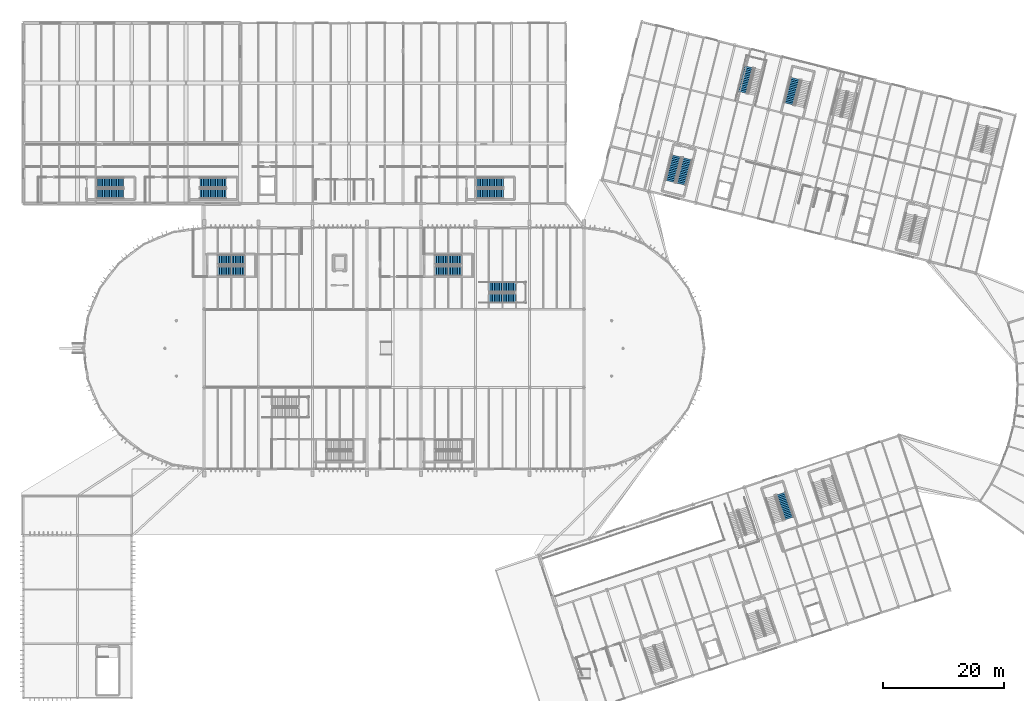
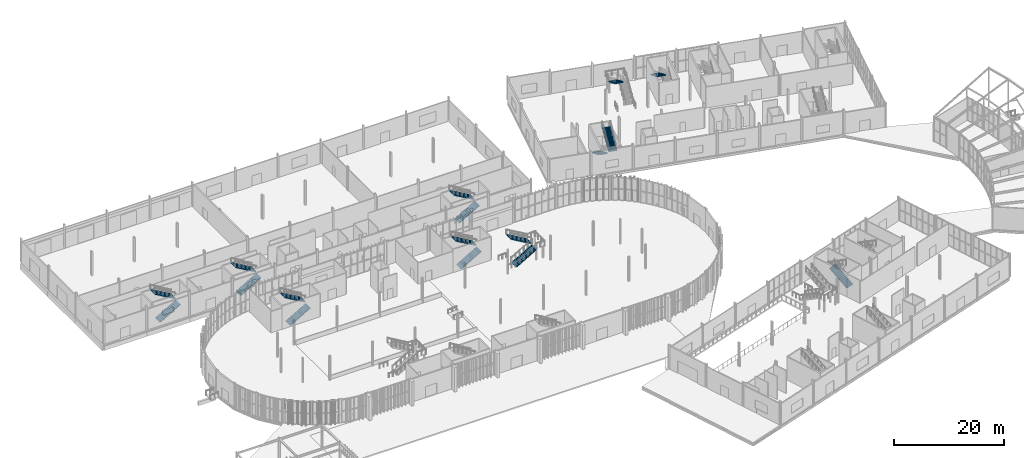
# One storey, part 131 of 158: 17 stair flights, 10 elements without a shape of their own.
"""IFC4 building model written with IfcOpenShell, lengths in metres."""

from ifc_helpers import new_model, si_unit, derived_unit, direction, frame, origin, place, context, subcontext, project, spatial, polyline, outline, extrude, material, type_object, element, aggregate, save


model = new_model("IFC4")

# Units and contexts
model_context = context("Model", 3, precision=1e-05, world=origin(), true_north=direction((0.0, 1.0)))
body_context = subcontext(model_context, "Body", "Model", "MODEL_VIEW")
ifc_project = project(units=[si_unit("LENGTHUNIT", "METRE"), si_unit("AREAUNIT", "SQUARE_METRE"), si_unit("VOLUMEUNIT", "CUBIC_METRE"), si_unit("PLANEANGLEUNIT", "RADIAN"), si_unit("MASSUNIT", "GRAM", prefix="KILO"), si_unit("THERMODYNAMICTEMPERATUREUNIT", "KELVIN"), si_unit("TIMEUNIT", "SECOND"), derived_unit("THERMALTRANSMITTANCEUNIT", [(si_unit("MASSUNIT", "GRAM", prefix="KILO"), 1), (si_unit("THERMODYNAMICTEMPERATUREUNIT", "KELVIN"), -1), (si_unit("TIMEUNIT", "SECOND"), -3)])], contexts=[model_context])

# Site, building, storey
site_placement = place(None, origin())
site = spatial("IfcSite", under=ifc_project, at=site_placement, CompositionType="ELEMENT")
building_placement = place(site_placement, origin())
building = spatial("IfcBuilding", under=site, at=building_placement, Name="Cambertide Market Hall", CompositionType="ELEMENT")
storey_placement = place(building_placement, origin())
storey = spatial("IfcBuildingStorey", under=building, at=storey_placement, Name="L01", CompositionType="ELEMENT", Elevation=0.0)

# Stair, stair flights
ifc_material_1 = material(Name="Concrete B35", Category="concrete")
stair_type_1 = type_object("IfcStairType", Name="Concrete Dogleg Stair ST-01", PredefinedType="HALF_TURN_STAIR", material=ifc_material_1)
stair_1_placement = place(storey_placement, origin())
stair_1 = element("IfcStair", 1, at=stair_1_placement, inside=storey, type_object=stair_type_1, Name="Level 1 Exit Stair Core 01", PredefinedType="HALF_TURN_STAIR")
ifc_material_2 = material(Name="Concrete B35", Category="concrete")
stair_flight_type_1 = type_object("IfcStairFlightType", Name="Concrete Stair Flight ST-01", PredefinedType="STRAIGHT", material=ifc_material_2)
stair_flight_1_placement = place(storey_placement, frame((44.300048828125, 84.824951171875, 0.0), z_axis=(0.0, 0.0, 1.0), x_axis=(1.0, 0.0, 0.0)))
stair_flight_1 = element("IfcStairFlight", 2, at=stair_flight_1_placement, type_object=stair_flight_type_1, Name="ST-01 flight 1", NumberOfRisers=16, NumberOfTreads=15, PredefinedType="STRAIGHT", RiserHeight=0.16875, TreadLength=0.29, context=body_context, shape_type="SweptSolid", body=[
    extrude(outline(polyline([(0.0, 0.0), (0.0, 0.168701171875), (0.2900390625, 0.168701171875), (0.2900390625, 0.33740234375), (0.580078125, 0.33740234375), (0.580078125, 0.50634765625), (0.8701171875, 0.50634765625), (0.8701171875, 0.675048828125), (1.159912109375, 0.675048828125), (1.159912109375, 0.84375), (1.449951171875, 0.84375), (1.449951171875, 1.012451171875), (1.739990234375, 1.012451171875), (1.739990234375, 1.18115234375), (2.030029296875, 1.18115234375), (2.030029296875, 1.35009765625), (2.320068359375, 1.35009765625), (2.320068359375, 1.518798828125), (2.610107421875, 1.518798828125), (2.610107421875, 1.6875), (2.89990234375, 1.6875), (2.89990234375, 1.856201171875), (3.18994140625, 1.856201171875), (3.18994140625, 2.02490234375), (3.47998046875, 2.02490234375), (3.47998046875, 2.19384765625), (3.77001953125, 2.19384765625), (3.77001953125, 2.362548828125), (4.06005859375, 2.362548828125), (4.06005859375, 2.53125), (4.35009765625, 2.53125), (4.35009765625, 2.699951171875), (4.35009765625, 2.35791015625), (0.298095703125, 0.0), (0.0, 0.0)])), frame((0.0, 0.824951171875, 0.0), z_axis=(0.0, -1.0, 0.0), x_axis=(1.0, 0.0, 0.0)), (0.0, 0.0, 1.0), 1.64990234375),
])
stair_flight_2_placement = place(storey_placement, frame((48.64990234375, 86.675048828125, 2.699951171875), z_axis=(0.0, 0.0, 1.0), x_axis=(-1.0, 0.0, 0.0)))
stair_flight_2 = element("IfcStairFlight", 3, at=stair_flight_2_placement, type_object=stair_flight_type_1, Name="ST-01 flight 2", NumberOfRisers=16, NumberOfTreads=15, PredefinedType="STRAIGHT", RiserHeight=0.16875, TreadLength=0.29, context=body_context, shape_type="SweptSolid", body=[
    extrude(outline(polyline([(0.0, 0.0), (0.0, 0.168701171875), (0.2900390625, 0.168701171875), (0.2900390625, 0.33740234375), (0.580078125, 0.33740234375), (0.580078125, 0.50634765625), (0.8701171875, 0.50634765625), (0.8701171875, 0.675048828125), (1.159912109375, 0.675048828125), (1.159912109375, 0.84375), (1.449951171875, 0.84375), (1.449951171875, 1.012451171875), (1.739990234375, 1.012451171875), (1.739990234375, 1.18115234375), (2.030029296875, 1.18115234375), (2.030029296875, 1.35009765625), (2.320068359375, 1.35009765625), (2.320068359375, 1.518798828125), (2.610107421875, 1.518798828125), (2.610107421875, 1.6875), (2.89990234375, 1.6875), (2.89990234375, 1.856201171875), (3.18994140625, 1.856201171875), (3.18994140625, 2.02490234375), (3.47998046875, 2.02490234375), (3.47998046875, 2.19384765625), (3.77001953125, 2.19384765625), (3.77001953125, 2.362548828125), (4.06005859375, 2.362548828125), (4.06005859375, 2.53125), (4.35009765625, 2.53125), (4.35009765625, 2.699951171875), (4.35009765625, 2.35791015625), (0.298095703125, 0.0), (0.0, 0.0)])), frame((0.0, 0.824951171875, 0.0), z_axis=(0.0, -1.0, 0.0), x_axis=(1.0, 0.0, 0.0)), (0.0, 0.0, 1.0), 1.64990234375),
])
aggregate(stair_1, [stair_flight_1, stair_flight_2])

ifc_material_3 = material(Name="Concrete B35", Category="concrete")
stair_type_2 = type_object("IfcStairType", Name="Concrete Dogleg Stair ST-01B", PredefinedType="HALF_TURN_STAIR", material=ifc_material_3)
stair_2_placement = place(storey_placement, origin())
stair_2 = element("IfcStair", 4, at=stair_2_placement, inside=storey, type_object=stair_type_2, Name="Level 1 Exit Stair Core 01B", PredefinedType="HALF_TURN_STAIR")
ifc_material_4 = material(Name="Concrete B35", Category="concrete")
stair_flight_type_2 = type_object("IfcStairFlightType", Name="Concrete Stair Flight ST-01B", PredefinedType="STRAIGHT", material=ifc_material_4)
stair_flight_3_placement = place(storey_placement, frame((80.300048828125, 84.824951171875, 0.0), z_axis=(0.0, 0.0, 1.0), x_axis=(1.0, 0.0, 0.0)))
stair_flight_3 = element("IfcStairFlight", 5, at=stair_flight_3_placement, type_object=stair_flight_type_2, Name="ST-01B flight 1", NumberOfRisers=16, NumberOfTreads=15, PredefinedType="STRAIGHT", RiserHeight=0.16875, TreadLength=0.29, context=body_context, shape_type="SweptSolid", body=[
    extrude(outline(polyline([(0.0, 0.0), (0.0, 0.168701171875), (0.2900390625, 0.168701171875), (0.2900390625, 0.33740234375), (0.580078125, 0.33740234375), (0.580078125, 0.50634765625), (0.8701171875, 0.50634765625), (0.8701171875, 0.675048828125), (1.159912109375, 0.675048828125), (1.159912109375, 0.84375), (1.449951171875, 0.84375), (1.449951171875, 1.012451171875), (1.739990234375, 1.012451171875), (1.739990234375, 1.18115234375), (2.030029296875, 1.18115234375), (2.030029296875, 1.35009765625), (2.320068359375, 1.35009765625), (2.320068359375, 1.518798828125), (2.610107421875, 1.518798828125), (2.610107421875, 1.6875), (2.89990234375, 1.6875), (2.89990234375, 1.856201171875), (3.18994140625, 1.856201171875), (3.18994140625, 2.02490234375), (3.47998046875, 2.02490234375), (3.47998046875, 2.19384765625), (3.77001953125, 2.19384765625), (3.77001953125, 2.362548828125), (4.06005859375, 2.362548828125), (4.06005859375, 2.53125), (4.35009765625, 2.53125), (4.35009765625, 2.699951171875), (4.35009765625, 2.35791015625), (0.298095703125, 0.0), (0.0, 0.0)])), frame((0.0, 0.824951171875, 0.0), z_axis=(0.0, -1.0, 0.0), x_axis=(1.0, 0.0, 0.0)), (0.0, 0.0, 1.0), 1.64990234375),
])
stair_flight_4_placement = place(storey_placement, frame((84.64990234375, 86.675048828125, 2.699951171875), z_axis=(0.0, 0.0, 1.0), x_axis=(-1.0, 0.0, 0.0)))
stair_flight_4 = element("IfcStairFlight", 6, at=stair_flight_4_placement, type_object=stair_flight_type_2, Name="ST-01B flight 2", NumberOfRisers=16, NumberOfTreads=15, PredefinedType="STRAIGHT", RiserHeight=0.16875, TreadLength=0.29, context=body_context, shape_type="SweptSolid", body=[
    extrude(outline(polyline([(0.0, 0.0), (0.0, 0.168701171875), (0.2900390625, 0.168701171875), (0.2900390625, 0.33740234375), (0.580078125, 0.33740234375), (0.580078125, 0.50634765625), (0.8701171875, 0.50634765625), (0.8701171875, 0.675048828125), (1.159912109375, 0.675048828125), (1.159912109375, 0.84375), (1.449951171875, 0.84375), (1.449951171875, 1.012451171875), (1.739990234375, 1.012451171875), (1.739990234375, 1.18115234375), (2.030029296875, 1.18115234375), (2.030029296875, 1.35009765625), (2.320068359375, 1.35009765625), (2.320068359375, 1.518798828125), (2.610107421875, 1.518798828125), (2.610107421875, 1.6875), (2.89990234375, 1.6875), (2.89990234375, 1.856201171875), (3.18994140625, 1.856201171875), (3.18994140625, 2.02490234375), (3.47998046875, 2.02490234375), (3.47998046875, 2.19384765625), (3.77001953125, 2.19384765625), (3.77001953125, 2.362548828125), (4.06005859375, 2.362548828125), (4.06005859375, 2.53125), (4.35009765625, 2.53125), (4.35009765625, 2.699951171875), (4.35009765625, 2.35791015625), (0.298095703125, 0.0), (0.0, 0.0)])), frame((0.0, 0.824951171875, 0.0), z_axis=(0.0, -1.0, 0.0), x_axis=(1.0, 0.0, 0.0)), (0.0, 0.0, 1.0), 1.64990234375),
])
aggregate(stair_2, [stair_flight_3, stair_flight_4])

ifc_material_5 = material(Name="Concrete B35", Category="concrete")
stair_type_3 = type_object("IfcStairType", Name="Concrete Dogleg Stair ST-03", PredefinedType="HALF_TURN_STAIR", material=ifc_material_5)
stair_3_placement = place(storey_placement, origin())
stair_3 = element("IfcStair", 7, at=stair_3_placement, inside=storey, type_object=stair_type_3, Name="Level 1 Exit Stair Core 03", PredefinedType="HALF_TURN_STAIR")
ifc_material_6 = material(Name="Concrete B35", Category="concrete")
stair_flight_type_3 = type_object("IfcStairFlightType", Name="Concrete Stair Flight ST-03", PredefinedType="STRAIGHT", material=ifc_material_6)
stair_flight_5_placement = place(storey_placement, frame((24.300048828125, 97.625, 0.0), z_axis=(0.0, 0.0, 1.0), x_axis=(1.0, 0.0, 0.0)))
stair_flight_5 = element("IfcStairFlight", 8, at=stair_flight_5_placement, type_object=stair_flight_type_3, Name="ST-03 flight 1", NumberOfRisers=16, NumberOfTreads=15, PredefinedType="STRAIGHT", RiserHeight=0.16875, TreadLength=0.29, context=body_context, shape_type="SweptSolid", body=[
    extrude(outline(polyline([(0.0, 0.0), (0.0, 0.168701171875), (0.2900390625, 0.168701171875), (0.2900390625, 0.33740234375), (0.580078125, 0.33740234375), (0.580078125, 0.50634765625), (0.8701171875, 0.50634765625), (0.8701171875, 0.675048828125), (1.159912109375, 0.675048828125), (1.159912109375, 0.84375), (1.449951171875, 0.84375), (1.449951171875, 1.012451171875), (1.739990234375, 1.012451171875), (1.739990234375, 1.18115234375), (2.030029296875, 1.18115234375), (2.030029296875, 1.35009765625), (2.320068359375, 1.35009765625), (2.320068359375, 1.518798828125), (2.610107421875, 1.518798828125), (2.610107421875, 1.6875), (2.89990234375, 1.6875), (2.89990234375, 1.856201171875), (3.18994140625, 1.856201171875), (3.18994140625, 2.02490234375), (3.47998046875, 2.02490234375), (3.47998046875, 2.19384765625), (3.77001953125, 2.19384765625), (3.77001953125, 2.362548828125), (4.06005859375, 2.362548828125), (4.06005859375, 2.53125), (4.35009765625, 2.53125), (4.35009765625, 2.699951171875), (4.35009765625, 2.35791015625), (0.298095703125, 0.0), (0.0, 0.0)])), frame((0.0, 0.824951171875, 0.0), z_axis=(0.0, -1.0, 0.0), x_axis=(1.0, 0.0, 0.0)), (0.0, 0.0, 1.0), 1.64990234375),
])
stair_flight_6_placement = place(storey_placement, frame((28.64990234375, 99.47509765625, 2.699951171875), z_axis=(0.0, 0.0, 1.0), x_axis=(-1.0, 0.0, 0.0)))
stair_flight_6 = element("IfcStairFlight", 9, at=stair_flight_6_placement, type_object=stair_flight_type_3, Name="ST-03 flight 2", NumberOfRisers=16, NumberOfTreads=15, PredefinedType="STRAIGHT", RiserHeight=0.16875, TreadLength=0.29, context=body_context, shape_type="SweptSolid", body=[
    extrude(outline(polyline([(0.0, 0.0), (0.0, 0.168701171875), (0.2900390625, 0.168701171875), (0.2900390625, 0.33740234375), (0.580078125, 0.33740234375), (0.580078125, 0.50634765625), (0.8701171875, 0.50634765625), (0.8701171875, 0.675048828125), (1.159912109375, 0.675048828125), (1.159912109375, 0.84375), (1.449951171875, 0.84375), (1.449951171875, 1.012451171875), (1.739990234375, 1.012451171875), (1.739990234375, 1.18115234375), (2.030029296875, 1.18115234375), (2.030029296875, 1.35009765625), (2.320068359375, 1.35009765625), (2.320068359375, 1.518798828125), (2.610107421875, 1.518798828125), (2.610107421875, 1.6875), (2.89990234375, 1.6875), (2.89990234375, 1.856201171875), (3.18994140625, 1.856201171875), (3.18994140625, 2.02490234375), (3.47998046875, 2.02490234375), (3.47998046875, 2.19384765625), (3.77001953125, 2.19384765625), (3.77001953125, 2.362548828125), (4.06005859375, 2.362548828125), (4.06005859375, 2.53125), (4.35009765625, 2.53125), (4.35009765625, 2.699951171875), (4.35009765625, 2.35791015625), (0.298095703125, 0.0), (0.0, 0.0)])), frame((0.0, 0.824951171875, 0.0), z_axis=(0.0, -1.0, 0.0), x_axis=(1.0, 0.0, 0.0)), (0.0, 0.0, 1.0), 1.64990234375),
])
aggregate(stair_3, [stair_flight_5, stair_flight_6])

ifc_material_7 = material(Name="Concrete B35", Category="concrete")
stair_type_4 = type_object("IfcStairType", Name="Concrete Dogleg Stair ST-03B", PredefinedType="HALF_TURN_STAIR", material=ifc_material_7)
stair_4_placement = place(storey_placement, origin())
stair_4 = element("IfcStair", 10, at=stair_4_placement, inside=storey, type_object=stair_type_4, Name="Level 1 Exit Stair Core 03B", PredefinedType="HALF_TURN_STAIR")
ifc_material_8 = material(Name="Concrete B35", Category="concrete")
stair_flight_type_4 = type_object("IfcStairFlightType", Name="Concrete Stair Flight ST-03B", PredefinedType="STRAIGHT", material=ifc_material_8)
stair_flight_7_placement = place(storey_placement, frame((41.300048828125, 97.625, 0.0), z_axis=(0.0, 0.0, 1.0), x_axis=(1.0, 0.0, 0.0)))
stair_flight_7 = element("IfcStairFlight", 11, at=stair_flight_7_placement, type_object=stair_flight_type_4, Name="ST-03B flight 1", NumberOfRisers=16, NumberOfTreads=15, PredefinedType="STRAIGHT", RiserHeight=0.16875, TreadLength=0.29, context=body_context, shape_type="SweptSolid", body=[
    extrude(outline(polyline([(0.0, 0.0), (0.0, 0.168701171875), (0.2900390625, 0.168701171875), (0.2900390625, 0.33740234375), (0.580078125, 0.33740234375), (0.580078125, 0.50634765625), (0.8701171875, 0.50634765625), (0.8701171875, 0.675048828125), (1.159912109375, 0.675048828125), (1.159912109375, 0.84375), (1.449951171875, 0.84375), (1.449951171875, 1.012451171875), (1.739990234375, 1.012451171875), (1.739990234375, 1.18115234375), (2.030029296875, 1.18115234375), (2.030029296875, 1.35009765625), (2.320068359375, 1.35009765625), (2.320068359375, 1.518798828125), (2.610107421875, 1.518798828125), (2.610107421875, 1.6875), (2.89990234375, 1.6875), (2.89990234375, 1.856201171875), (3.18994140625, 1.856201171875), (3.18994140625, 2.02490234375), (3.47998046875, 2.02490234375), (3.47998046875, 2.19384765625), (3.77001953125, 2.19384765625), (3.77001953125, 2.362548828125), (4.06005859375, 2.362548828125), (4.06005859375, 2.53125), (4.35009765625, 2.53125), (4.35009765625, 2.699951171875), (4.35009765625, 2.35791015625), (0.298095703125, 0.0), (0.0, 0.0)])), frame((0.0, 0.824951171875, 0.0), z_axis=(0.0, -1.0, 0.0), x_axis=(1.0, 0.0, 0.0)), (0.0, 0.0, 1.0), 1.64990234375),
])
stair_flight_8_placement = place(storey_placement, frame((45.64990234375, 99.47509765625, 2.699951171875), z_axis=(0.0, 0.0, 1.0), x_axis=(-1.0, 0.0, 0.0)))
stair_flight_8 = element("IfcStairFlight", 12, at=stair_flight_8_placement, type_object=stair_flight_type_4, Name="ST-03B flight 2", NumberOfRisers=16, NumberOfTreads=15, PredefinedType="STRAIGHT", RiserHeight=0.16875, TreadLength=0.29, context=body_context, shape_type="SweptSolid", body=[
    extrude(outline(polyline([(0.0, 0.0), (0.0, 0.168701171875), (0.2900390625, 0.168701171875), (0.2900390625, 0.33740234375), (0.580078125, 0.33740234375), (0.580078125, 0.50634765625), (0.8701171875, 0.50634765625), (0.8701171875, 0.675048828125), (1.159912109375, 0.675048828125), (1.159912109375, 0.84375), (1.449951171875, 0.84375), (1.449951171875, 1.012451171875), (1.739990234375, 1.012451171875), (1.739990234375, 1.18115234375), (2.030029296875, 1.18115234375), (2.030029296875, 1.35009765625), (2.320068359375, 1.35009765625), (2.320068359375, 1.518798828125), (2.610107421875, 1.518798828125), (2.610107421875, 1.6875), (2.89990234375, 1.6875), (2.89990234375, 1.856201171875), (3.18994140625, 1.856201171875), (3.18994140625, 2.02490234375), (3.47998046875, 2.02490234375), (3.47998046875, 2.19384765625), (3.77001953125, 2.19384765625), (3.77001953125, 2.362548828125), (4.06005859375, 2.362548828125), (4.06005859375, 2.53125), (4.35009765625, 2.53125), (4.35009765625, 2.699951171875), (4.35009765625, 2.35791015625), (0.298095703125, 0.0), (0.0, 0.0)])), frame((0.0, 0.824951171875, 0.0), z_axis=(0.0, -1.0, 0.0), x_axis=(1.0, 0.0, 0.0)), (0.0, 0.0, 1.0), 1.64990234375),
])
aggregate(stair_4, [stair_flight_7, stair_flight_8])

ifc_material_9 = material(Name="Concrete B35", Category="concrete")
stair_type_5 = type_object("IfcStairType", Name="Concrete Dogleg Stair ST-04", PredefinedType="HALF_TURN_STAIR", material=ifc_material_9)
stair_5_placement = place(storey_placement, origin())
stair_5 = element("IfcStair", 13, at=stair_5_placement, inside=storey, type_object=stair_type_5, Name="Level 1 Exit Stair Core 04", PredefinedType="HALF_TURN_STAIR")
ifc_material_10 = material(Name="Concrete B35", Category="concrete")
stair_flight_type_5 = type_object("IfcStairFlightType", Name="Concrete Stair Flight ST-04", PredefinedType="STRAIGHT", material=ifc_material_10)
stair_flight_9_placement = place(storey_placement, frame((87.300048828125, 97.625, 0.0), z_axis=(0.0, 0.0, 1.0), x_axis=(1.0, 0.0, 0.0)))
stair_flight_9 = element("IfcStairFlight", 14, at=stair_flight_9_placement, type_object=stair_flight_type_5, Name="ST-04 flight 1", NumberOfRisers=16, NumberOfTreads=15, PredefinedType="STRAIGHT", RiserHeight=0.16875, TreadLength=0.29, context=body_context, shape_type="SweptSolid", body=[
    extrude(outline(polyline([(0.0, 0.0), (0.0, 0.168701171875), (0.2900390625, 0.168701171875), (0.2900390625, 0.33740234375), (0.580078125, 0.33740234375), (0.580078125, 0.50634765625), (0.8701171875, 0.50634765625), (0.8701171875, 0.675048828125), (1.159912109375, 0.675048828125), (1.159912109375, 0.84375), (1.449951171875, 0.84375), (1.449951171875, 1.012451171875), (1.739990234375, 1.012451171875), (1.739990234375, 1.18115234375), (2.030029296875, 1.18115234375), (2.030029296875, 1.35009765625), (2.320068359375, 1.35009765625), (2.320068359375, 1.518798828125), (2.610107421875, 1.518798828125), (2.610107421875, 1.6875), (2.89990234375, 1.6875), (2.89990234375, 1.856201171875), (3.18994140625, 1.856201171875), (3.18994140625, 2.02490234375), (3.47998046875, 2.02490234375), (3.47998046875, 2.19384765625), (3.77001953125, 2.19384765625), (3.77001953125, 2.362548828125), (4.06005859375, 2.362548828125), (4.06005859375, 2.53125), (4.35009765625, 2.53125), (4.35009765625, 2.699951171875), (4.35009765625, 2.35791015625), (0.298095703125, 0.0), (0.0, 0.0)])), frame((0.0, 0.824951171875, 0.0), z_axis=(0.0, -1.0, 0.0), x_axis=(1.0, 0.0, 0.0)), (0.0, 0.0, 1.0), 1.64990234375),
])
stair_flight_10_placement = place(storey_placement, frame((91.64990234375, 99.47509765625, 2.699951171875), z_axis=(0.0, 0.0, 1.0), x_axis=(-1.0, 0.0, 0.0)))
stair_flight_10 = element("IfcStairFlight", 15, at=stair_flight_10_placement, type_object=stair_flight_type_5, Name="ST-04 flight 2", NumberOfRisers=16, NumberOfTreads=15, PredefinedType="STRAIGHT", RiserHeight=0.16875, TreadLength=0.29, context=body_context, shape_type="SweptSolid", body=[
    extrude(outline(polyline([(0.0, 0.0), (0.0, 0.168701171875), (0.2900390625, 0.168701171875), (0.2900390625, 0.33740234375), (0.580078125, 0.33740234375), (0.580078125, 0.50634765625), (0.8701171875, 0.50634765625), (0.8701171875, 0.675048828125), (1.159912109375, 0.675048828125), (1.159912109375, 0.84375), (1.449951171875, 0.84375), (1.449951171875, 1.012451171875), (1.739990234375, 1.012451171875), (1.739990234375, 1.18115234375), (2.030029296875, 1.18115234375), (2.030029296875, 1.35009765625), (2.320068359375, 1.35009765625), (2.320068359375, 1.518798828125), (2.610107421875, 1.518798828125), (2.610107421875, 1.6875), (2.89990234375, 1.6875), (2.89990234375, 1.856201171875), (3.18994140625, 1.856201171875), (3.18994140625, 2.02490234375), (3.47998046875, 2.02490234375), (3.47998046875, 2.19384765625), (3.77001953125, 2.19384765625), (3.77001953125, 2.362548828125), (4.06005859375, 2.362548828125), (4.06005859375, 2.53125), (4.35009765625, 2.53125), (4.35009765625, 2.699951171875), (4.35009765625, 2.35791015625), (0.298095703125, 0.0), (0.0, 0.0)])), frame((0.0, 0.824951171875, 0.0), z_axis=(0.0, -1.0, 0.0), x_axis=(1.0, 0.0, 0.0)), (0.0, 0.0, 1.0), 1.64990234375),
])
aggregate(stair_5, [stair_flight_9, stair_flight_10])

# Stair, stair flight
ifc_material_11 = material(Name="Concrete B35", Category="concrete")
stair_type_6 = type_object("IfcStairType", Name="Concrete Dogleg Stair ST-06B", PredefinedType="HALF_TURN_STAIR", material=ifc_material_11)
stair_6_placement = place(storey_placement, origin())
stair_6 = element("IfcStair", 16, at=stair_6_placement, inside=storey, type_object=stair_type_6, Name="Level 1 Exit Stair Core 06B", PredefinedType="HALF_TURN_STAIR")
ifc_material_12 = material(Name="Concrete B35", Category="concrete")
stair_flight_type_6 = type_object("IfcStairFlightType", Name="Concrete Stair Flight ST-06B", PredefinedType="STRAIGHT", material=ifc_material_12)
stair_flight_11_placement = place(storey_placement, frame((139.069580078125, 43.788818359375, 0.0), z_axis=(0.0, 0.0, 1.0), x_axis=(-0.316227768949, 0.948683297073, 0.0)))
stair_flight_11 = element("IfcStairFlight", 17, at=stair_flight_11_placement, type_object=stair_flight_type_6, Name="ST-06B flight 1", NumberOfRisers=16, NumberOfTreads=15, PredefinedType="STRAIGHT", RiserHeight=0.16875, TreadLength=0.29, context=body_context, shape_type="SweptSolid", body=[
    extrude(outline(polyline([(0.0, 0.0), (0.0, 0.168701171875), (0.2900390625, 0.168701171875), (0.2900390625, 0.33740234375), (0.580078125, 0.33740234375), (0.580078125, 0.50634765625), (0.8701171875, 0.50634765625), (0.8701171875, 0.675048828125), (1.159912109375, 0.675048828125), (1.159912109375, 0.84375), (1.449951171875, 0.84375), (1.449951171875, 1.012451171875), (1.739990234375, 1.012451171875), (1.739990234375, 1.18115234375), (2.030029296875, 1.18115234375), (2.030029296875, 1.35009765625), (2.320068359375, 1.35009765625), (2.320068359375, 1.518798828125), (2.610107421875, 1.518798828125), (2.610107421875, 1.6875), (2.89990234375, 1.6875), (2.89990234375, 1.856201171875), (3.18994140625, 1.856201171875), (3.18994140625, 2.02490234375), (3.47998046875, 2.02490234375), (3.47998046875, 2.19384765625), (3.77001953125, 2.19384765625), (3.77001953125, 2.362548828125), (4.06005859375, 2.362548828125), (4.06005859375, 2.53125), (4.35009765625, 2.53125), (4.35009765625, 2.699951171875), (4.35009765625, 2.35791015625), (0.298095703125, 0.0), (0.0, 0.0)])), frame((0.0, 0.824951171875, 0.0), z_axis=(0.0, -1.0, 0.0), x_axis=(1.0, 0.0, 0.0)), (0.0, 0.0, 1.0), 1.64990234375),
])
aggregate(stair_6, [stair_flight_11])

# Stair, stair flights
ifc_material_13 = material(Name="Concrete B35", Category="concrete")
stair_type_7 = type_object("IfcStairType", Name="Concrete Dogleg Stair ST-07A", PredefinedType="HALF_TURN_STAIR", material=ifc_material_13)
stair_7_placement = place(storey_placement, origin())
stair_7 = element("IfcStair", 18, at=stair_7_placement, inside=storey, type_object=stair_type_7, Name="Level 1 Exit Stair Core 07A", PredefinedType="HALF_TURN_STAIR")
ifc_material_14 = material(Name="Concrete B35", Category="concrete")
stair_flight_type_7 = type_object("IfcStairFlightType", Name="Concrete Stair Flight ST-07A", PredefinedType="STRAIGHT", material=ifc_material_14)
stair_flight_12_placement = place(storey_placement, frame((120.3935546875, 103.910888671875, 0.0), z_axis=(0.0, 0.0, 1.0), x_axis=(-0.242535617113, -0.970142502126, 0.0)))
stair_flight_12 = element("IfcStairFlight", 19, at=stair_flight_12_placement, type_object=stair_flight_type_7, Name="ST-07A flight 1", NumberOfRisers=16, NumberOfTreads=15, PredefinedType="STRAIGHT", RiserHeight=0.16875, TreadLength=0.29, context=body_context, shape_type="SweptSolid", body=[
    extrude(outline(polyline([(0.0, 0.0), (0.0, 0.168701171875), (0.2900390625, 0.168701171875), (0.2900390625, 0.33740234375), (0.580078125, 0.33740234375), (0.580078125, 0.50634765625), (0.8701171875, 0.50634765625), (0.8701171875, 0.675048828125), (1.159912109375, 0.675048828125), (1.159912109375, 0.84375), (1.449951171875, 0.84375), (1.449951171875, 1.012451171875), (1.739990234375, 1.012451171875), (1.739990234375, 1.18115234375), (2.030029296875, 1.18115234375), (2.030029296875, 1.35009765625), (2.320068359375, 1.35009765625), (2.320068359375, 1.518798828125), (2.610107421875, 1.518798828125), (2.610107421875, 1.6875), (2.89990234375, 1.6875), (2.89990234375, 1.856201171875), (3.18994140625, 1.856201171875), (3.18994140625, 2.02490234375), (3.47998046875, 2.02490234375), (3.47998046875, 2.19384765625), (3.77001953125, 2.19384765625), (3.77001953125, 2.362548828125), (4.06005859375, 2.362548828125), (4.06005859375, 2.53125), (4.35009765625, 2.53125), (4.35009765625, 2.699951171875), (4.35009765625, 2.35791015625), (0.298095703125, 0.0), (0.0, 0.0)])), frame((0.0, 0.824951171875, 0.0), z_axis=(0.0, -1.0, 0.0), x_axis=(1.0, 0.0, 0.0)), (0.0, 0.0, 1.0), 1.64990234375),
])
stair_flight_13_placement = place(storey_placement, frame((121.13330078125, 99.2421875, 2.699951171875), z_axis=(0.0, 0.0, 1.0), x_axis=(0.242535617113, 0.970142502126, 0.0)))
stair_flight_13 = element("IfcStairFlight", 20, at=stair_flight_13_placement, type_object=stair_flight_type_7, Name="ST-07A flight 2", NumberOfRisers=16, NumberOfTreads=15, PredefinedType="STRAIGHT", RiserHeight=0.16875, TreadLength=0.29, context=body_context, shape_type="SweptSolid", body=[
    extrude(outline(polyline([(0.0, 0.0), (0.0, 0.168701171875), (0.2900390625, 0.168701171875), (0.2900390625, 0.33740234375), (0.580078125, 0.33740234375), (0.580078125, 0.50634765625), (0.8701171875, 0.50634765625), (0.8701171875, 0.675048828125), (1.159912109375, 0.675048828125), (1.159912109375, 0.84375), (1.449951171875, 0.84375), (1.449951171875, 1.012451171875), (1.739990234375, 1.012451171875), (1.739990234375, 1.18115234375), (2.030029296875, 1.18115234375), (2.030029296875, 1.35009765625), (2.320068359375, 1.35009765625), (2.320068359375, 1.518798828125), (2.610107421875, 1.518798828125), (2.610107421875, 1.6875), (2.89990234375, 1.6875), (2.89990234375, 1.856201171875), (3.18994140625, 1.856201171875), (3.18994140625, 2.02490234375), (3.47998046875, 2.02490234375), (3.47998046875, 2.19384765625), (3.77001953125, 2.19384765625), (3.77001953125, 2.362548828125), (4.06005859375, 2.362548828125), (4.06005859375, 2.53125), (4.35009765625, 2.53125), (4.35009765625, 2.699951171875), (4.35009765625, 2.35791015625), (0.298095703125, 0.0), (0.0, 0.0)])), frame((0.0, 0.824951171875, 0.0), z_axis=(0.0, -1.0, 0.0), x_axis=(1.0, 0.0, 0.0)), (0.0, 0.0, 1.0), 1.64990234375),
])
aggregate(stair_7, [stair_flight_12, stair_flight_13])

# Stair, stair flight
ifc_material_15 = material(Name="Concrete B35", Category="concrete")
stair_type_8 = type_object("IfcStairType", Name="Concrete Dogleg Stair ST-07B", PredefinedType="HALF_TURN_STAIR", material=ifc_material_15)
stair_8_placement = place(storey_placement, origin())
stair_8 = element("IfcStair", 21, at=stair_8_placement, inside=storey, type_object=stair_type_8, Name="Level 1 Exit Stair Core 07B", PredefinedType="HALF_TURN_STAIR")
ifc_material_16 = material(Name="Concrete B35", Category="concrete")
stair_flight_type_8 = type_object("IfcStairFlightType", Name="Concrete Stair Flight ST-07B", PredefinedType="STRAIGHT", material=ifc_material_16)
stair_flight_14_placement = place(storey_placement, frame((140.099609375, 116.765380859375, 2.699951171875), z_axis=(0.0, 0.0, 1.0), x_axis=(-0.242535617113, -0.970142502126, 0.0)))
stair_flight_14 = element("IfcStairFlight", 22, at=stair_flight_14_placement, type_object=stair_flight_type_8, Name="ST-07B flight 2", NumberOfRisers=16, NumberOfTreads=15, PredefinedType="STRAIGHT", RiserHeight=0.16875, TreadLength=0.29, context=body_context, shape_type="SweptSolid", body=[
    extrude(outline(polyline([(0.0, 0.0), (0.0, 0.168701171875), (0.2900390625, 0.168701171875), (0.2900390625, 0.33740234375), (0.580078125, 0.33740234375), (0.580078125, 0.50634765625), (0.8701171875, 0.50634765625), (0.8701171875, 0.675048828125), (1.159912109375, 0.675048828125), (1.159912109375, 0.84375), (1.449951171875, 0.84375), (1.449951171875, 1.012451171875), (1.739990234375, 1.012451171875), (1.739990234375, 1.18115234375), (2.030029296875, 1.18115234375), (2.030029296875, 1.35009765625), (2.320068359375, 1.35009765625), (2.320068359375, 1.518798828125), (2.610107421875, 1.518798828125), (2.610107421875, 1.6875), (2.89990234375, 1.6875), (2.89990234375, 1.856201171875), (3.18994140625, 1.856201171875), (3.18994140625, 2.02490234375), (3.47998046875, 2.02490234375), (3.47998046875, 2.19384765625), (3.77001953125, 2.19384765625), (3.77001953125, 2.362548828125), (4.06005859375, 2.362548828125), (4.06005859375, 2.53125), (4.35009765625, 2.53125), (4.35009765625, 2.699951171875), (4.35009765625, 2.35791015625), (0.298095703125, 0.0), (0.0, 0.0)])), frame((0.0, 0.824951171875, 0.0), z_axis=(0.0, -1.0, 0.0), x_axis=(1.0, 0.0, 0.0)), (0.0, 0.0, 1.0), 1.64990234375),
])
aggregate(stair_8, [stair_flight_14])

# Stair, stair flights
ifc_material_17 = material(Name="Concrete B35", Category="concrete")
stair_type_9 = type_object("IfcStairType", Name="Concrete Dogleg Stair ST-11", PredefinedType="HALF_TURN_STAIR", material=ifc_material_17)
stair_9_placement = place(storey_placement, origin())
stair_9 = element("IfcStair", 23, at=stair_9_placement, inside=storey, type_object=stair_type_9, Name="Level 1 East Lantern Mezzanine Feature Stair", PredefinedType="HALF_TURN_STAIR")
ifc_material_18 = material(Name="Concrete B35", Category="concrete")
stair_flight_type_9 = type_object("IfcStairFlightType", Name="Concrete Stair Flight ST-11", PredefinedType="STRAIGHT", material=ifc_material_18)
stair_flight_15_placement = place(storey_placement, frame((89.300048828125, 80.324951171875, 0.0), z_axis=(0.0, 0.0, 1.0), x_axis=(1.0, 0.0, 0.0)))
stair_flight_15 = element("IfcStairFlight", 24, at=stair_flight_15_placement, type_object=stair_flight_type_9, Name="ST-11 flight 1", NumberOfRisers=16, NumberOfTreads=15, PredefinedType="STRAIGHT", RiserHeight=0.16875, TreadLength=0.29, context=body_context, shape_type="SweptSolid", body=[
    extrude(outline(polyline([(0.0, 0.0), (0.0, 0.168701171875), (0.2900390625, 0.168701171875), (0.2900390625, 0.33740234375), (0.580078125, 0.33740234375), (0.580078125, 0.50634765625), (0.8701171875, 0.50634765625), (0.8701171875, 0.675048828125), (1.159912109375, 0.675048828125), (1.159912109375, 0.84375), (1.449951171875, 0.84375), (1.449951171875, 1.012451171875), (1.739990234375, 1.012451171875), (1.739990234375, 1.18115234375), (2.030029296875, 1.18115234375), (2.030029296875, 1.35009765625), (2.320068359375, 1.35009765625), (2.320068359375, 1.518798828125), (2.610107421875, 1.518798828125), (2.610107421875, 1.6875), (2.89990234375, 1.6875), (2.89990234375, 1.856201171875), (3.18994140625, 1.856201171875), (3.18994140625, 2.02490234375), (3.47998046875, 2.02490234375), (3.47998046875, 2.19384765625), (3.77001953125, 2.19384765625), (3.77001953125, 2.362548828125), (4.06005859375, 2.362548828125), (4.06005859375, 2.53125), (4.35009765625, 2.53125), (4.35009765625, 2.699951171875), (4.35009765625, 2.35791015625), (0.298095703125, 0.0), (0.0, 0.0)])), frame((0.0, 0.824951171875, 0.0), z_axis=(0.0, -1.0, 0.0), x_axis=(1.0, 0.0, 0.0)), (0.0, 0.0, 1.0), 1.64990234375),
])
stair_flight_16_placement = place(storey_placement, frame((93.64990234375, 82.175048828125, 2.699951171875), z_axis=(0.0, 0.0, 1.0), x_axis=(-1.0, 0.0, 0.0)))
stair_flight_16 = element("IfcStairFlight", 25, at=stair_flight_16_placement, type_object=stair_flight_type_9, Name="ST-11 flight 2", NumberOfRisers=16, NumberOfTreads=15, PredefinedType="STRAIGHT", RiserHeight=0.16875, TreadLength=0.29, context=body_context, shape_type="SweptSolid", body=[
    extrude(outline(polyline([(0.0, 0.0), (0.0, 0.168701171875), (0.2900390625, 0.168701171875), (0.2900390625, 0.33740234375), (0.580078125, 0.33740234375), (0.580078125, 0.50634765625), (0.8701171875, 0.50634765625), (0.8701171875, 0.675048828125), (1.159912109375, 0.675048828125), (1.159912109375, 0.84375), (1.449951171875, 0.84375), (1.449951171875, 1.012451171875), (1.739990234375, 1.012451171875), (1.739990234375, 1.18115234375), (2.030029296875, 1.18115234375), (2.030029296875, 1.35009765625), (2.320068359375, 1.35009765625), (2.320068359375, 1.518798828125), (2.610107421875, 1.518798828125), (2.610107421875, 1.6875), (2.89990234375, 1.6875), (2.89990234375, 1.856201171875), (3.18994140625, 1.856201171875), (3.18994140625, 2.02490234375), (3.47998046875, 2.02490234375), (3.47998046875, 2.19384765625), (3.77001953125, 2.19384765625), (3.77001953125, 2.362548828125), (4.06005859375, 2.362548828125), (4.06005859375, 2.53125), (4.35009765625, 2.53125), (4.35009765625, 2.699951171875), (4.35009765625, 2.35791015625), (0.298095703125, 0.0), (0.0, 0.0)])), frame((0.0, 0.824951171875, 0.0), z_axis=(0.0, -1.0, 0.0), x_axis=(1.0, 0.0, 0.0)), (0.0, 0.0, 1.0), 1.64990234375),
])
aggregate(stair_9, [stair_flight_15, stair_flight_16])

# Stair, stair flight
ifc_material_19 = material(Name="Concrete B35", Category="concrete")
stair_type_10 = type_object("IfcStairType", Name="Concrete Dogleg Stair ST-13", PredefinedType="HALF_TURN_STAIR", material=ifc_material_19)
stair_10_placement = place(storey_placement, origin())
stair_10 = element("IfcStair", 26, at=stair_10_placement, inside=storey, type_object=stair_type_10, Name="Level 1 Culinary Atrium Feature Stair", PredefinedType="HALF_TURN_STAIR")
ifc_material_20 = material(Name="Concrete B35", Category="concrete")
stair_flight_type_10 = type_object("IfcStairFlightType", Name="Concrete Stair Flight ST-13", PredefinedType="STRAIGHT", material=ifc_material_20)
stair_flight_17_placement = place(storey_placement, frame((132.33837890625, 118.70556640625, 2.699951171875), z_axis=(0.0, 0.0, 1.0), x_axis=(-0.242535617113, -0.970142502126, 0.0)))
stair_flight_17 = element("IfcStairFlight", 27, at=stair_flight_17_placement, type_object=stair_flight_type_10, Name="ST-13 flight 2", NumberOfRisers=16, NumberOfTreads=15, PredefinedType="STRAIGHT", RiserHeight=0.16875, TreadLength=0.29, context=body_context, shape_type="SweptSolid", body=[
    extrude(outline(polyline([(0.0, 0.0), (0.0, 0.168701171875), (0.2900390625, 0.168701171875), (0.2900390625, 0.33740234375), (0.580078125, 0.33740234375), (0.580078125, 0.50634765625), (0.8701171875, 0.50634765625), (0.8701171875, 0.675048828125), (1.159912109375, 0.675048828125), (1.159912109375, 0.84375), (1.449951171875, 0.84375), (1.449951171875, 1.012451171875), (1.739990234375, 1.012451171875), (1.739990234375, 1.18115234375), (2.030029296875, 1.18115234375), (2.030029296875, 1.35009765625), (2.320068359375, 1.35009765625), (2.320068359375, 1.518798828125), (2.610107421875, 1.518798828125), (2.610107421875, 1.6875), (2.89990234375, 1.6875), (2.89990234375, 1.856201171875), (3.18994140625, 1.856201171875), (3.18994140625, 2.02490234375), (3.47998046875, 2.02490234375), (3.47998046875, 2.19384765625), (3.77001953125, 2.19384765625), (3.77001953125, 2.362548828125), (4.06005859375, 2.362548828125), (4.06005859375, 2.53125), (4.35009765625, 2.53125), (4.35009765625, 2.699951171875), (4.35009765625, 2.35791015625), (0.298095703125, 0.0), (0.0, 0.0)])), frame((0.0, 0.824951171875, 0.0), z_axis=(0.0, -1.0, 0.0), x_axis=(1.0, 0.0, 0.0)), (0.0, 0.0, 1.0), 1.64990234375),
])
aggregate(stair_10, [stair_flight_17])

save(model, "model.ifc")
